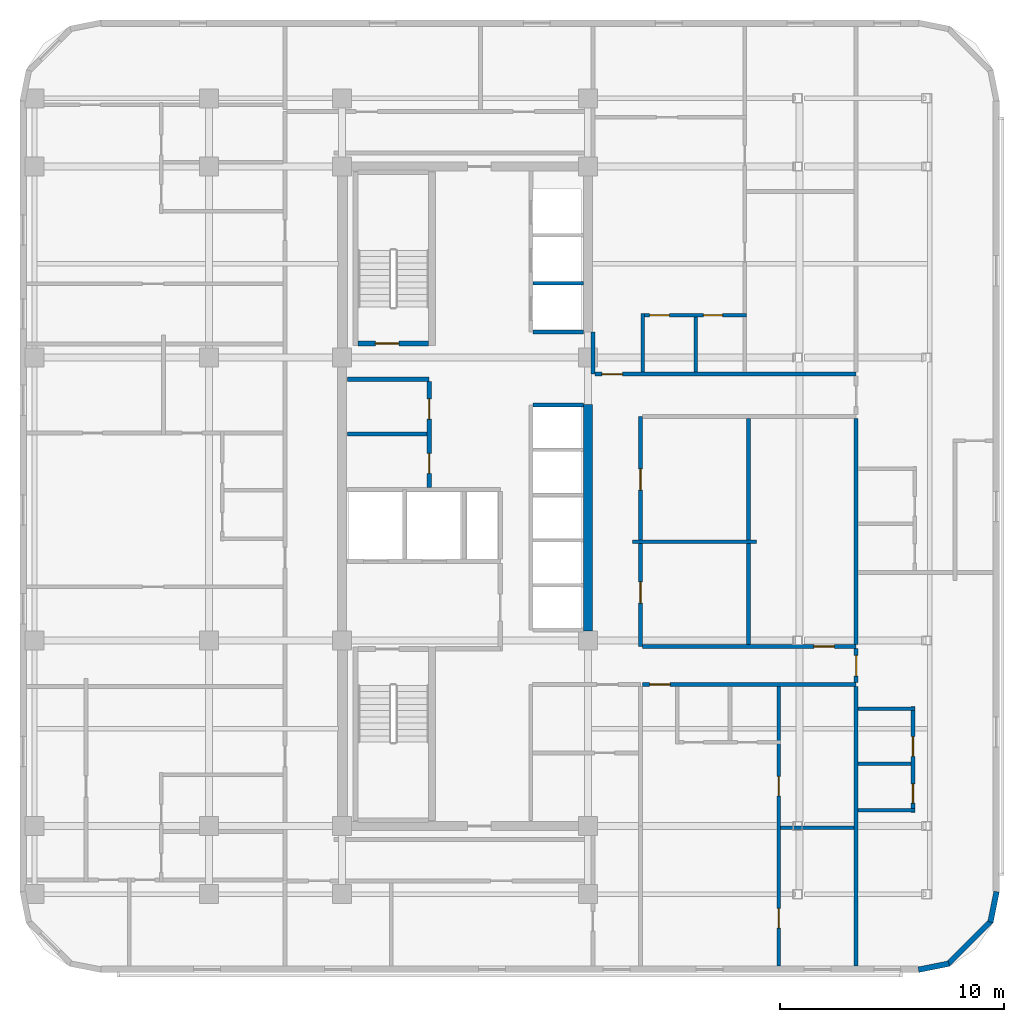
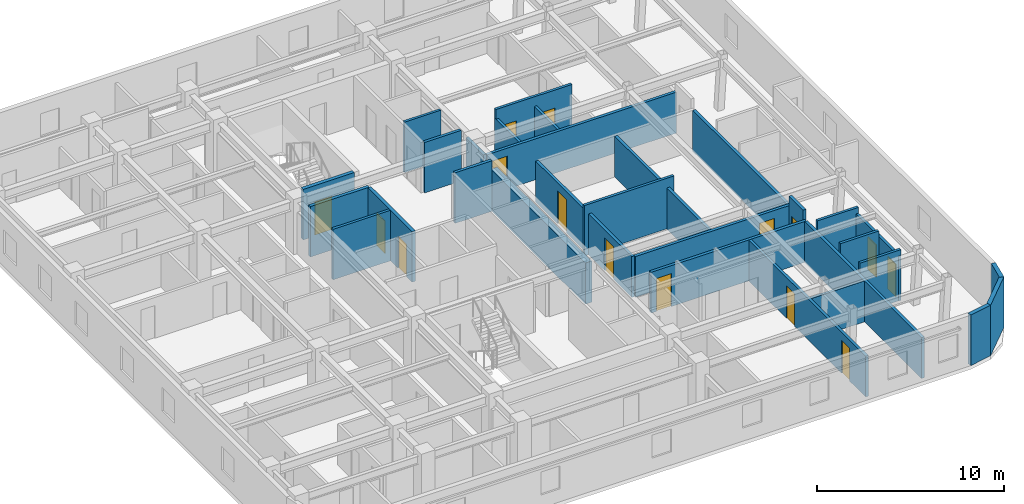
# One storey, part 5 of 11: 30 walls, 15 doors, 15 openings.
"""IFC4 building model written with IfcOpenShell, lengths in metres."""

from ifc_helpers import new_model, si_unit, direction, frame, frame_2d, origin, place, context, subcontext, project, spatial, rectangle, extrude, material, layer, layer_set, type_object, element, fill, save


model = new_model("IFC4")

# Units and contexts
model_context = context("Model", 3, precision=1e-05, world=origin(), true_north=direction((0.0, 1.0)))
body_context = subcontext(model_context, "Body", "Model", "MODEL_VIEW")
ifc_project = project(units=[si_unit("LENGTHUNIT", "METRE"), si_unit("AREAUNIT", "SQUARE_METRE"), si_unit("VOLUMEUNIT", "CUBIC_METRE"), si_unit("PLANEANGLEUNIT", "RADIAN"), si_unit("MASSUNIT", "GRAM", prefix="KILO")], contexts=[model_context])

# Site, building, storey
site_placement = place(None, origin())
site = spatial("IfcSite", under=ifc_project, at=site_placement, CompositionType="ELEMENT")
building_placement = place(site_placement, origin())
building = spatial("IfcBuilding", under=site, at=building_placement, Name="Ochreholt Gables", CompositionType="ELEMENT")
storey_placement = place(building_placement, frame((0.0, 0.0, 132.0)))
storey = spatial("IfcBuildingStorey", under=building, at=storey_placement, Name="L34", CompositionType="ELEMENT", Elevation=132.0)

# Walls
ifc_material_1 = material(Name="Concrete 60 MPa", Category="concrete")
ifc_layer_1 = layer(ifc_material_1, 0.39990234375, Name="Concrete 60 MPa")
ifc_layer_set_1 = layer_set([ifc_layer_1], Name="Concrete 60 MPa")
wall_type_1 = type_object("IfcWallType", Name="WALL-CSW-400", PredefinedType="SHEAR", material=ifc_layer_set_1)
wall_1_placement = place(storey_placement, frame((35.199951171875, 17.97509765625, 0.0), z_axis=(0.0, 0.0, 1.0), x_axis=(0.0, 1.0, 0.0)))
element("IfcWall", 1, at=wall_1_placement, inside=storey, type_object=wall_type_1, Name="L34 Core Central-East Shear Wall", PredefinedType="SHEAR", context=body_context, shape_type="SweptSolid", body=[
    extrude(rectangle(XDim=10.125, YDim=0.39990234375, at=frame_2d((5.0625, 0.0))), origin(), (0.0, 0.0, 1.0), 2.68896484375),
])
ifc_material_2 = material(Name="Precast concrete 40 MPa", Category="concrete")
ifc_layer_2 = layer(ifc_material_2, 0.25, Name="Precast concrete 40 MPa")
ifc_layer_set_2 = layer_set([ifc_layer_2], Name="Precast concrete 40 MPa")
wall_type_2 = type_object("IfcWallType", Name="WALL-EXT-CNR", PredefinedType="SOLIDWALL", material=ifc_layer_set_2)
wall_2_placement = place(storey_placement, frame((49.9833984375, 2.82421875, 0.0), z_axis=(0.0, 0.0, 1.0), x_axis=(0.980809899341, 0.19496651342, 0.0)))
element("IfcWall", 2, at=wall_2_placement, inside=storey, type_object=wall_type_2, Name="L34 Rounded Corner Wall SE-1", PredefinedType="SOLIDWALL", context=body_context, shape_type="SweptSolid", body=[
    extrude(rectangle(XDim=1.388671875, YDim=0.25, at=frame_2d((0.6943359375, 0.0))), origin(), (0.0, 0.0, 1.0), 3.300048828125),
])
wall_3_placement = place(storey_placement, frame((51.294921875, 3.068115234375, 0.0), z_axis=(0.0, 0.0, 1.0), x_axis=(0.707151344399, 0.707062215165, 0.0)))
element("IfcWall", 3, at=wall_3_placement, inside=storey, type_object=wall_type_2, Name="L34 Rounded Corner Wall SE-2", PredefinedType="SOLIDWALL", context=body_context, shape_type="SweptSolid", body=[
    extrude(rectangle(XDim=2.7392578125, YDim=0.25, at=frame_2d((1.36962890625, 0.0))), origin(), (0.0, 0.0, 1.0), 3.300048828125),
])
wall_4_placement = place(storey_placement, frame((53.205078125, 4.95458984375, 0.0), z_axis=(0.0, 0.0, 1.0), x_axis=(0.195000137217, 0.980803214965, 0.0)))
element("IfcWall", 4, at=wall_4_placement, inside=storey, type_object=wall_type_2, Name="L34 Rounded Corner Wall SE-3", PredefinedType="SOLIDWALL", context=body_context, shape_type="SweptSolid", body=[
    extrude(rectangle(XDim=1.388427734375, YDim=0.25, at=frame_2d((0.6943359375, 0.0))), origin(), (0.0, 0.0, 1.0), 3.300048828125),
])
ifc_material_3 = material(Name="Concrete 40 MPa", Category="concrete")
ifc_layer_3 = layer(ifc_material_3, 0.199951171875, Name="Concrete 40 MPa")
ifc_layer_set_3 = layer_set([ifc_layer_3], Name="Concrete 40 MPa")
wall_type_3 = type_object("IfcWallType", Name="WALL-INT-CF200", PredefinedType="STANDARD", material=ifc_layer_set_3)
wall_5_placement = place(storey_placement, frame((24.449951171875, 29.239990234375, 0.0), z_axis=(0.0, 0.0, 1.0), x_axis=(1.0, 0.0, 0.0)))
element("IfcWall", 5, at=wall_5_placement, inside=storey, type_object=wall_type_3, Name="L34 Interior Wall WI-SRVN-L34", PredefinedType="STANDARD", context=body_context, shape_type="SweptSolid", body=[
    extrude(rectangle(XDim=3.650146484375, YDim=0.199951171875, at=frame_2d((1.8251953125, 0.0))), origin(), (0.0, 0.0, 1.0), 3.300048828125),
])

# Wall, openings, doors
wall_6_placement = place(storey_placement, frame((28.10009765625, 24.389892578125, 0.0), z_axis=(0.0, 0.0, 1.0), x_axis=(0.0, 1.0, 0.0)))
wall_6 = element("IfcWall", 6, at=wall_6_placement, inside=storey, type_object=wall_type_3, Name="L34 Interior Wall WI-SRVE-L34", PredefinedType="STANDARD", context=body_context, shape_type="SweptSolid", body=[
    extrude(rectangle(XDim=4.75, YDim=0.199951171875, at=frame_2d((2.375, 0.0))), origin(), (0.0, 0.0, 1.0), 3.300048828125),
])
opening_1_placement = place(wall_6_placement, frame((0.6298828125, 0.0, 0.0)))
opening_1 = element("IfcOpeningElement", 7, at=opening_1_placement, cuts=wall_6, Name="Opening D-SV1", PredefinedType="OPENING", context=body_context, shape_type="SweptSolid", body=[
    extrude(rectangle(XDim=0.89990234375, YDim=2.10009765625, at=frame_2d((0.449951171875, 1.050048828125))), frame((0.0, 0.10986328125, 0.0), z_axis=(0.0, -1.0, 0.0), x_axis=(1.0, 0.0, 0.0)), (0.0, 0.0, 1.0), 0.219970703125),
])
opening_2_placement = place(wall_6_placement, frame((3.06005859375, 0.0, 0.0)))
opening_2 = element("IfcOpeningElement", 8, at=opening_2_placement, cuts=wall_6, Name="Opening D-SV1", PredefinedType="OPENING", context=body_context, shape_type="SweptSolid", body=[
    extrude(rectangle(XDim=0.89990234375, YDim=2.10009765625, at=frame_2d((0.449951171875, 1.050048828125))), frame((0.0, 0.10986328125, 0.0), z_axis=(0.0, -1.0, 0.0), x_axis=(1.0, 0.0, 0.0)), (0.0, 0.0, 1.0), 0.219970703125),
])
ifc_material_4 = material(Name="Hollow Metal Steel", Category="steel")
door_type_1 = type_object("IfcDoorType", Name="DR-INT-SRV900", OperationType="NOTDEFINED", PredefinedType="DOOR", material=ifc_material_4)
door_1_placement = place(opening_1_placement, origin())
door_1 = element("IfcDoor", 9, at=door_1_placement, inside=storey, type_object=door_type_1, Name="L34 Door D-SRV1-L34", OperationType="SINGLE_SWING_LEFT", OverallHeight=2.10009765625, OverallWidth=0.89990234375, PredefinedType="DOOR", context=body_context, shape_type="SweptSolid", body=[
    extrude(rectangle(XDim=0.89990234375, YDim=2.10009765625, at=frame_2d((0.449951171875, 1.050048828125))), frame((0.0, 0.02490234375, 0.0), z_axis=(0.0, -1.0, 0.0), x_axis=(1.0, 0.0, 0.0)), (0.0, 0.0, 1.0), 0.050048828125),
])
fill(opening_1, door_1)
door_2_placement = place(opening_2_placement, origin())
door_2 = element("IfcDoor", 10, at=door_2_placement, inside=storey, type_object=door_type_1, Name="L34 Door D-SRV2-L34", OperationType="SINGLE_SWING_RIGHT", OverallHeight=2.10009765625, OverallWidth=0.89990234375, PredefinedType="DOOR", context=body_context, shape_type="SweptSolid", body=[
    extrude(rectangle(XDim=0.89990234375, YDim=2.10009765625, at=frame_2d((0.449951171875, 1.050048828125))), frame((0.0, 0.02490234375, 0.0), z_axis=(0.0, -1.0, 0.0), x_axis=(1.0, 0.0, 0.0)), (0.0, 0.0, 1.0), 0.050048828125),
])
fill(opening_2, door_2)

ifc_material_5 = material(Name="Fire-Rated Gypsum Acoustic Partition", Category="gypsum")
ifc_layer_4 = layer(ifc_material_5, 0.179931640625, Name="Fire-Rated Gypsum Acoustic Partition")
ifc_layer_set_4 = layer_set([ifc_layer_4], Name="Fire-Rated Gypsum Acoustic Partition")
wall_type_4 = type_object("IfcWallType", Name="WALL-INT-CR180", PredefinedType="STANDARD", material=ifc_layer_set_4)
wall_7_placement = place(storey_placement, frame((37.550048828125, 17.280029296875, 0.0), z_axis=(0.0, 0.0, 1.0), x_axis=(0.0, 1.0, 0.0)))
wall_7 = element("IfcWall", 11, at=wall_7_placement, inside=storey, type_object=wall_type_4, Name="L34 Interior Wall WI-C2EM-L34", PredefinedType="STANDARD", context=body_context, shape_type="SweptSolid", body=[
    extrude(rectangle(XDim=10.280029296875, YDim=0.179931640625, at=frame_2d((5.14013671875, 0.0))), origin(), (0.0, 0.0, 1.0), 2.6708984375),
])
opening_3_placement = place(wall_7_placement, frame((1.93994140625, 0.0, 0.0)))
opening_3 = element("IfcOpeningElement", 12, at=opening_3_placement, cuts=wall_7, Name="Opening D-GN1", PredefinedType="OPENING", context=body_context, shape_type="SweptSolid", body=[
    extrude(rectangle(XDim=0.949951171875, YDim=2.14990234375, at=frame_2d((0.47509765625, 1.074951171875))), frame((0.0, 0.099853515625, 0.0), z_axis=(0.0, -1.0, 0.0), x_axis=(1.0, 0.0, 0.0)), (0.0, 0.0, 1.0), 0.199951171875),
])
opening_4_placement = place(wall_7_placement, frame((6.989990234375, 0.0, 0.0)))
opening_4 = element("IfcOpeningElement", 13, at=opening_4_placement, cuts=wall_7, Name="Opening D-GN1", PredefinedType="OPENING", context=body_context, shape_type="SweptSolid", body=[
    extrude(rectangle(XDim=0.949951171875, YDim=2.14990234375, at=frame_2d((0.47509765625, 1.074951171875))), frame((0.0, 0.099853515625, 0.0), z_axis=(0.0, -1.0, 0.0), x_axis=(1.0, 0.0, 0.0)), (0.0, 0.0, 1.0), 0.199951171875),
])
ifc_material_6 = material(Name="Engineered Oak Timber", Category="wood")
door_type_2 = type_object("IfcDoorType", Name="DR-INT-GEN950", OperationType="NOTDEFINED", PredefinedType="DOOR", material=ifc_material_6)
door_3_placement = place(opening_3_placement, origin())
door_3 = element("IfcDoor", 14, at=door_3_placement, inside=storey, type_object=door_type_2, Name="L34 Door D-U-L34M1A-ENT", OperationType="SINGLE_SWING_RIGHT", OverallHeight=2.14990234375, OverallWidth=0.949951171875, PredefinedType="DOOR", context=body_context, shape_type="SweptSolid", body=[
    extrude(rectangle(XDim=0.949951171875, YDim=2.14990234375, at=frame_2d((0.47509765625, 1.074951171875))), frame((0.0, 0.02490234375, 0.0), z_axis=(0.0, -1.0, 0.0), x_axis=(1.0, 0.0, 0.0)), (0.0, 0.0, 1.0), 0.050048828125),
])
fill(opening_3, door_3)
door_4_placement = place(opening_4_placement, origin())
door_4 = element("IfcDoor", 15, at=door_4_placement, inside=storey, type_object=door_type_2, Name="L34 Door D-U-L34M1B-ENT", OperationType="SINGLE_SWING_LEFT", OverallHeight=2.14990234375, OverallWidth=0.949951171875, PredefinedType="DOOR", context=body_context, shape_type="SweptSolid", body=[
    extrude(rectangle(XDim=0.949951171875, YDim=2.14990234375, at=frame_2d((0.47509765625, 1.074951171875))), frame((0.0, 0.02490234375, 0.0), z_axis=(0.0, -1.0, 0.0), x_axis=(1.0, 0.0, 0.0)), (0.0, 0.0, 1.0), 0.050048828125),
])
fill(opening_4, door_4)

# Wall, opening, door
wall_8_placement = place(storey_placement, frame((37.632568359375, 15.580078125, 0.0), z_axis=(0.0, 0.0, 1.0), x_axis=(1.0, 0.0, 0.0)))
wall_8 = element("IfcWall", 16, at=wall_8_placement, inside=storey, type_object=wall_type_4, Name="L34 Interior Wall WI-C2SS1-L34", PredefinedType="STANDARD", context=body_context, shape_type="SweptSolid", body=[
    extrude(rectangle(XDim=9.5673828125, YDim=0.179931640625, at=frame_2d((4.78369140625, 0.0))), origin(), (0.0, 0.0, 1.0), 2.6708984375),
])
opening_5_placement = place(wall_8_placement, frame((0.327392578125, 0.0, 0.0)))
opening_5 = element("IfcOpeningElement", 17, at=opening_5_placement, cuts=wall_8, Name="Opening D-UN1", PredefinedType="OPENING", context=body_context, shape_type="SweptSolid", body=[
    extrude(rectangle(XDim=0.919921875, YDim=2.14990234375, at=frame_2d((0.4599609375, 1.074951171875))), frame((0.0, 0.099853515625, 0.0), z_axis=(0.0, -1.0, 0.0), x_axis=(1.0, 0.0, 0.0)), (0.0, 0.0, 1.0), 0.199951171875),
])
door_type_3 = type_object("IfcDoorType", Name="DR-INT-UNT920", OperationType="NOTDEFINED", PredefinedType="DOOR", material=ifc_material_6)
door_5_placement = place(opening_5_placement, origin())
door_5 = element("IfcDoor", 18, at=door_5_placement, inside=storey, type_object=door_type_3, Name="L34 Door D-U-L34S1-ENT", OperationType="SINGLE_SWING_RIGHT", OverallHeight=2.14990234375, OverallWidth=0.919921875, PredefinedType="DOOR", context=body_context, shape_type="SweptSolid", body=[
    extrude(rectangle(XDim=0.919921875, YDim=2.14990234375, at=frame_2d((0.4599609375, 1.074951171875))), frame((0.0, 0.02490234375, 0.0), z_axis=(0.0, -1.0, 0.0), x_axis=(1.0, 0.0, 0.0)), (0.0, 0.0, 1.0), 0.050048828125),
])
fill(opening_5, door_5)

wall_9_placement = place(storey_placement, frame((37.639892578125, 17.280029296875, 0.0), z_axis=(0.0, 0.0, 1.0), x_axis=(1.0, 0.0, 0.0)))
wall_9 = element("IfcWall", 19, at=wall_9_placement, inside=storey, type_object=wall_type_4, Name="L34 Interior Wall WI-C2SS2-L34", PredefinedType="STANDARD", context=body_context, shape_type="SweptSolid", body=[
    extrude(rectangle(XDim=9.56005859375, YDim=0.179931640625, at=frame_2d((4.780029296875, 0.0))), origin(), (0.0, 0.0, 1.0), 2.6708984375),
])
opening_6_placement = place(wall_9_placement, frame((7.66748046875, 0.0, 0.0)))
opening_6 = element("IfcOpeningElement", 20, at=opening_6_placement, cuts=wall_9, Name="Opening D-UN1", PredefinedType="OPENING", context=body_context, shape_type="SweptSolid", body=[
    extrude(rectangle(XDim=0.919921875, YDim=2.14990234375, at=frame_2d((0.4599609375, 1.074951171875))), frame((0.0, 0.099853515625, 0.0), z_axis=(0.0, -1.0, 0.0), x_axis=(1.0, 0.0, 0.0)), (0.0, 0.0, 1.0), 0.199951171875),
])
door_6_placement = place(opening_6_placement, origin())
door_6 = element("IfcDoor", 21, at=door_6_placement, inside=storey, type_object=door_type_3, Name="L34 Door D-U-L34M2-ENT", OperationType="SINGLE_SWING_LEFT", OverallHeight=2.14990234375, OverallWidth=0.919921875, PredefinedType="DOOR", context=body_context, shape_type="SweptSolid", body=[
    extrude(rectangle(XDim=0.919921875, YDim=2.14990234375, at=frame_2d((0.4599609375, 1.074951171875))), frame((0.0, 0.02490234375, 0.0), z_axis=(0.0, -1.0, 0.0), x_axis=(1.0, 0.0, 0.0)), (0.0, 0.0, 1.0), 0.050048828125),
])
fill(opening_6, door_6)

# Wall
wall_10_placement = place(storey_placement, frame((35.419921875, 29.4599609375, 0.0), z_axis=(0.0, 0.0, 1.0), x_axis=(0.0, 1.0, 0.0)))
element("IfcWall", 22, at=wall_10_placement, inside=storey, type_object=wall_type_4, Name="L34 Interior Wall WI-C2NCL-L34", PredefinedType="STANDARD", context=body_context, shape_type="SweptSolid", body=[
    extrude(rectangle(XDim=1.89013671875, YDim=0.179931640625, at=frame_2d((0.945068359375, 0.0))), origin(), (0.0, 0.0, 1.0), 2.6708984375),
])

# Wall, opening, door
wall_11_placement = place(storey_placement, frame((35.510009765625, 29.4599609375, 0.0), z_axis=(0.0, 0.0, 1.0), x_axis=(1.0, 0.0, 0.0)))
wall_11 = element("IfcWall", 23, at=wall_11_placement, inside=storey, type_object=wall_type_4, Name="L34 Interior Wall WI-C2SN2-L34", PredefinedType="STANDARD", context=body_context, shape_type="SweptSolid", body=[
    extrude(rectangle(XDim=11.68994140625, YDim=0.179931640625, at=frame_2d((5.844970703125, 0.0))), origin(), (0.0, 0.0, 1.0), 2.6708984375),
])
opening_7_placement = place(wall_11_placement, frame((0.320068359375, 0.0, 0.0)))
opening_7 = element("IfcOpeningElement", 24, at=opening_7_placement, cuts=wall_11, Name="Opening D-UN1", PredefinedType="OPENING", context=body_context, shape_type="SweptSolid", body=[
    extrude(rectangle(XDim=0.919921875, YDim=2.14990234375, at=frame_2d((0.4599609375, 1.074951171875))), frame((0.0, 0.099853515625, 0.0), z_axis=(0.0, -1.0, 0.0), x_axis=(1.0, 0.0, 0.0)), (0.0, 0.0, 1.0), 0.199951171875),
])
door_7_placement = place(opening_7_placement, origin())
door_7 = element("IfcDoor", 25, at=door_7_placement, inside=storey, type_object=door_type_3, Name="L34 Door D-U-L34N1-ENT", OperationType="SINGLE_SWING_LEFT", OverallHeight=2.14990234375, OverallWidth=0.919921875, PredefinedType="DOOR", context=body_context, shape_type="SweptSolid", body=[
    extrude(rectangle(XDim=0.919921875, YDim=2.14990234375, at=frame_2d((0.4599609375, 1.074951171875))), frame((0.0, 0.02490234375, 0.0), z_axis=(0.0, -1.0, 0.0), x_axis=(1.0, 0.0, 0.0)), (0.0, 0.0, 1.0), 0.050048828125),
])
fill(opening_7, door_7)

wall_12_placement = place(storey_placement, frame((47.199951171875, 15.669921875, 0.0), z_axis=(0.0, 0.0, 1.0), x_axis=(0.0, 1.0, 0.0)))
wall_12 = element("IfcWall", 26, at=wall_12_placement, inside=storey, type_object=wall_type_4, Name="L34 Interior Wall WI-C2SSE-L34", PredefinedType="STANDARD", context=body_context, shape_type="SweptSolid", body=[
    extrude(rectangle(XDim=1.52001953125, YDim=0.179931640625, at=frame_2d((0.760009765625, 0.0))), origin(), (0.0, 0.0, 1.0), 3.300048828125),
])
opening_8_placement = place(wall_12_placement, frame((0.2900390625, 0.0, 0.0)))
opening_8 = element("IfcOpeningElement", 27, at=opening_8_placement, cuts=wall_12, Name="Opening D-UN1", PredefinedType="OPENING", context=body_context, shape_type="SweptSolid", body=[
    extrude(rectangle(XDim=0.919921875, YDim=2.14990234375, at=frame_2d((0.4599609375, 1.074951171875))), frame((0.0, 0.099853515625, 0.0), z_axis=(0.0, -1.0, 0.0), x_axis=(1.0, 0.0, 0.0)), (0.0, 0.0, 1.0), 0.199951171875),
])
door_8_placement = place(opening_8_placement, origin())
door_8 = element("IfcDoor", 28, at=door_8_placement, inside=storey, type_object=door_type_3, Name="L34 Door D-U-L34FES-ENT", OperationType="SINGLE_SWING_RIGHT", OverallHeight=2.14990234375, OverallWidth=0.919921875, PredefinedType="DOOR", context=body_context, shape_type="SweptSolid", body=[
    extrude(rectangle(XDim=0.919921875, YDim=2.14990234375, at=frame_2d((0.4599609375, 1.074951171875))), frame((0.0, 0.02490234375, 0.0), z_axis=(0.0, -1.0, 0.0), x_axis=(1.0, 0.0, 0.0)), (0.0, 0.0, 1.0), 0.050048828125),
])
fill(opening_8, door_8)

# Walls
ifc_material_7 = material(Name="Double-Stud Acoustic Demising Wall", Category="gypsum")
ifc_layer_5 = layer(ifc_material_7, 0.179931640625, Name="Double-Stud Acoustic Demising Wall")
ifc_layer_set_5 = layer_set([ifc_layer_5], Name="Double-Stud Acoustic Demising Wall")
wall_type_5 = type_object("IfcWallType", Name="WALL-INT-DM180", PredefinedType="PARTITIONING", material=ifc_layer_set_5)
wall_13_placement = place(storey_placement, frame((42.375, 17.3701171875, 0.0), z_axis=(0.0, 0.0, 1.0), x_axis=(0.0, 1.0, 0.0)))
element("IfcWall", 29, at=wall_13_placement, inside=storey, type_object=wall_type_5, Name="L34 Interior Wall WI-C2UDM-L34", PredefinedType="PARTITIONING", context=body_context, shape_type="SweptSolid", body=[
    extrude(rectangle(XDim=10.099853515625, YDim=0.179931640625, at=frame_2d((5.0498046875, 0.0))), origin(), (0.0, 0.0, 1.0), 2.6708984375),
])
wall_14_placement = place(storey_placement, frame((47.199951171875, 2.97998046875, 0.0), z_axis=(0.0, 0.0, 1.0), x_axis=(0.0, 1.0, 0.0)))
element("IfcWall", 30, at=wall_14_placement, inside=storey, type_object=wall_type_5, Name="L34 Interior Wall WI-C2FEW1-L34", PredefinedType="PARTITIONING", context=body_context, shape_type="SweptSolid", body=[
    extrude(rectangle(XDim=12.510009765625, YDim=0.179931640625, at=frame_2d((6.2548828125, 0.0))), origin(), (0.0, 0.0, 1.0), 2.6708984375),
])
wall_15_placement = place(storey_placement, frame((47.199951171875, 17.3701171875, 0.0), z_axis=(0.0, 0.0, 1.0), x_axis=(0.0, 1.0, 0.0)))
element("IfcWall", 31, at=wall_15_placement, inside=storey, type_object=wall_type_5, Name="L34 Interior Wall WI-C2FEW2-L34", PredefinedType="PARTITIONING", context=body_context, shape_type="SweptSolid", body=[
    extrude(rectangle(XDim=10.099853515625, YDim=0.179931640625, at=frame_2d((5.0498046875, 0.0))), origin(), (0.0, 0.0, 1.0), 2.6708984375),
])

# Wall, openings, doors
ifc_material_8 = material(Name="Moisture-Resistant Plumbing Chase Wall", Category="gypsum")
ifc_layer_6 = layer(ifc_material_8, 0.159912109375, Name="Moisture-Resistant Plumbing Chase Wall")
ifc_layer_set_6 = layer_set([ifc_layer_6], Name="Moisture-Resistant Plumbing Chase Wall")
wall_type_6 = type_object("IfcWallType", Name="WALL-INT-PL160", PredefinedType="PLUMBINGWALL", material=ifc_layer_set_6)
wall_16_placement = place(storey_placement, frame((37.580078125, 32.094970703125, 0.0), z_axis=(0.0, 0.0, 1.0), x_axis=(1.0, 0.0, 0.0)))
wall_16 = element("IfcWall", 32, at=wall_16_placement, inside=storey, type_object=wall_type_6, Name="L34 Interior Wall WU-L34N1-WY", PredefinedType="PLUMBINGWALL", context=body_context, shape_type="SweptSolid", body=[
    extrude(rectangle(XDim=4.7099609375, YDim=0.159912109375, at=frame_2d((2.35498046875, 0.0))), origin(), (0.0, 0.0, 1.0), 3.300048828125),
])
opening_9_placement = place(wall_16_placement, frame((0.3798828125, 0.0, 0.0)))
opening_9 = element("IfcOpeningElement", 33, at=opening_9_placement, cuts=wall_16, Name="Opening D-GN2", PredefinedType="OPENING", context=body_context, shape_type="SweptSolid", body=[
    extrude(rectangle(XDim=0.8798828125, YDim=2.1201171875, at=frame_2d((0.43994140625, 1.06005859375))), frame((0.0, 0.08984375, 0.0), z_axis=(0.0, -1.0, 0.0), x_axis=(1.0, 0.0, 0.0)), (0.0, 0.0, 1.0), 0.179931640625),
])
opening_10_placement = place(wall_16_placement, frame((2.785888671875, 0.0, 0.0)))
opening_10 = element("IfcOpeningElement", 34, at=opening_10_placement, cuts=wall_16, Name="Opening D-BT1", PredefinedType="OPENING", context=body_context, shape_type="SweptSolid", body=[
    extrude(rectangle(XDim=0.860107421875, YDim=2.1201171875, at=frame_2d((0.43017578125, 1.06005859375))), frame((0.0, 0.08984375, 0.0), z_axis=(0.0, -1.0, 0.0), x_axis=(1.0, 0.0, 0.0)), (0.0, 0.0, 1.0), 0.179931640625),
])
door_type_4 = type_object("IfcDoorType", Name="DR-INT-BTH860", OperationType="NOTDEFINED", PredefinedType="DOOR", material=ifc_material_6)
door_9_placement = place(opening_10_placement, origin())
door_9 = element("IfcDoor", 35, at=door_9_placement, inside=storey, type_object=door_type_4, Name="L34 Door D-U-L34N1-BTH", OperationType="SINGLE_SWING_LEFT", OverallHeight=2.1201171875, OverallWidth=0.860107421875, PredefinedType="DOOR", context=body_context, shape_type="SweptSolid", body=[
    extrude(rectangle(XDim=0.860107421875, YDim=2.1201171875, at=frame_2d((0.43017578125, 1.06005859375))), frame((0.0, 0.02490234375, 0.0), z_axis=(0.0, -1.0, 0.0), x_axis=(1.0, 0.0, 0.0)), (0.0, 0.0, 1.0), 0.050048828125),
])
fill(opening_10, door_9)
door_type_5 = type_object("IfcDoorType", Name="DR-INT-GEN880", OperationType="NOTDEFINED", PredefinedType="DOOR", material=ifc_material_6)
door_10_placement = place(opening_9_placement, origin())
door_10 = element("IfcDoor", 36, at=door_10_placement, inside=storey, type_object=door_type_5, Name="L34 Door D-U-L34N1-KIT", OperationType="SINGLE_SWING_RIGHT", OverallHeight=2.1201171875, OverallWidth=0.8798828125, PredefinedType="DOOR", context=body_context, shape_type="SweptSolid", body=[
    extrude(rectangle(XDim=0.8798828125, YDim=2.1201171875, at=frame_2d((0.43994140625, 1.06005859375))), frame((0.0, 0.02490234375, 0.0), z_axis=(0.0, -1.0, 0.0), x_axis=(1.0, 0.0, 0.0)), (0.0, 0.0, 1.0), 0.050048828125),
])
fill(opening_9, door_10)

# Walls
wall_17_placement = place(storey_placement, frame((37.659912109375, 29.550048828125, 0.0), z_axis=(0.0, 0.0, 1.0), x_axis=(0.0, 1.0, 0.0)))
element("IfcWall", 37, at=wall_17_placement, inside=storey, type_object=wall_type_6, Name="L34 Interior Wall WU-L34N1-FY", PredefinedType="PLUMBINGWALL", context=body_context, shape_type="SweptSolid", body=[
    extrude(rectangle(XDim=2.625, YDim=0.159912109375, at=frame_2d((1.3125, 0.0))), origin(), (0.0, 0.0, 1.0), 2.6708984375),
])
wall_18_placement = place(storey_placement, frame((40.02587890625, 29.550048828125, 0.0), z_axis=(0.0, 0.0, 1.0), x_axis=(0.0, 1.0, 0.0)))
element("IfcWall", 38, at=wall_18_placement, inside=storey, type_object=wall_type_6, Name="L34 Interior Wall WU-L34N1-WK", PredefinedType="PLUMBINGWALL", context=body_context, shape_type="SweptSolid", body=[
    extrude(rectangle(XDim=2.46484375, YDim=0.159912109375, at=frame_2d((1.232421875, 0.0))), origin(), (0.0, 0.0, 1.0), 2.6708984375),
])
for number, where, z_axis, x_axis, name in (
    (39, (47.2900390625, 9.947021484375, 0.0), (0.0, 0.0, 1.0), (1.0, 0.0, 0.0), "L34 Interior Wall WU-L34FES-WYS"),
    (40, (47.2900390625, 14.496826171875, 0.0), (0.0, 0.0, 1.0), (1.0, 0.0, 0.0), "L34 Interior Wall WU-L34FES-WYN"),
):
    element("IfcWall", number, at=place(storey_placement, frame(where, z_axis=z_axis, x_axis=x_axis)), inside=storey, type_object=wall_type_6, Name=name, PredefinedType="PLUMBINGWALL", context=body_context, shape_type="SweptSolid", body=[
        extrude(rectangle(XDim=2.530029296875, YDim=0.159912109375, at=frame_2d((1.26513671875, 0.0))), origin(), (0.0, 0.0, 1.0), 3.300048828125),
    ])

# Wall, openings, doors
wall_19_placement = place(storey_placement, frame((49.739990234375, 9.85693359375, 0.0), z_axis=(0.0, 0.0, 1.0), x_axis=(0.0, 1.0, 0.0)))
wall_19 = element("IfcWall", 41, at=wall_19_placement, inside=storey, type_object=wall_type_6, Name="L34 Interior Wall WU-L34FES-WX", PredefinedType="PLUMBINGWALL", context=body_context, shape_type="SweptSolid", body=[
    extrude(rectangle(XDim=4.72998046875, YDim=0.159912109375, at=frame_2d((2.364990234375, 0.0))), origin(), (0.0, 0.0, 1.0), 2.927978515625),
])
opening_11_placement = place(wall_19_placement, frame((0.419921875, 0.0, 0.0)))
opening_11 = element("IfcOpeningElement", 42, at=opening_11_placement, cuts=wall_19, Name="Opening D-BT1", PredefinedType="OPENING", context=body_context, shape_type="SweptSolid", body=[
    extrude(rectangle(XDim=0.860107421875, YDim=2.1201171875, at=frame_2d((0.43017578125, 1.06005859375))), frame((0.0, 0.08984375, 0.0), z_axis=(0.0, -1.0, 0.0), x_axis=(1.0, 0.0, 0.0)), (0.0, 0.0, 1.0), 0.179931640625),
])
opening_12_placement = place(wall_19_placement, frame((2.512939453125, 0.0, 0.0)))
opening_12 = element("IfcOpeningElement", 43, at=opening_12_placement, cuts=wall_19, Name="Opening D-GN2", PredefinedType="OPENING", context=body_context, shape_type="SweptSolid", body=[
    extrude(rectangle(XDim=0.8798828125, YDim=2.1201171875, at=frame_2d((0.43994140625, 1.06005859375))), frame((0.0, 0.08984375, 0.0), z_axis=(0.0, -1.0, 0.0), x_axis=(1.0, 0.0, 0.0)), (0.0, 0.0, 1.0), 0.179931640625),
])
door_11_placement = place(opening_11_placement, origin())
door_11 = element("IfcDoor", 44, at=door_11_placement, inside=storey, type_object=door_type_4, Name="L34 Door D-U-L34FES-BTH", OperationType="SINGLE_SWING_LEFT", OverallHeight=2.1201171875, OverallWidth=0.860107421875, PredefinedType="DOOR", context=body_context, shape_type="SweptSolid", body=[
    extrude(rectangle(XDim=0.860107421875, YDim=2.1201171875, at=frame_2d((0.43017578125, 1.06005859375))), frame((0.0, 0.02490234375, 0.0), z_axis=(0.0, -1.0, 0.0), x_axis=(1.0, 0.0, 0.0)), (0.0, 0.0, 1.0), 0.050048828125),
])
fill(opening_11, door_11)
door_12_placement = place(opening_12_placement, origin())
door_12 = element("IfcDoor", 45, at=door_12_placement, inside=storey, type_object=door_type_5, Name="L34 Door D-U-L34FES-KIT", OperationType="SINGLE_SWING_RIGHT", OverallHeight=2.1201171875, OverallWidth=0.8798828125, PredefinedType="DOOR", context=body_context, shape_type="SweptSolid", body=[
    extrude(rectangle(XDim=0.8798828125, YDim=2.1201171875, at=frame_2d((0.43994140625, 1.06005859375))), frame((0.0, 0.02490234375, 0.0), z_axis=(0.0, -1.0, 0.0), x_axis=(1.0, 0.0, 0.0)), (0.0, 0.0, 1.0), 0.050048828125),
])
fill(opening_12, door_12)

# Walls
wall_20_placement = place(storey_placement, frame((47.2900390625, 12.039794921875, 0.0), z_axis=(0.0, 0.0, 1.0), x_axis=(1.0, 0.0, 0.0)))
element("IfcWall", 46, at=wall_20_placement, inside=storey, type_object=wall_type_6, Name="L34 Interior Wall WU-L34FES-WM", PredefinedType="PLUMBINGWALL", context=body_context, shape_type="SweptSolid", body=[
    extrude(rectangle(XDim=2.369873046875, YDim=0.159912109375, at=frame_2d((1.18505859375, 0.0))), origin(), (0.0, 0.0, 1.0), 3.300048828125),
])
ifc_material_9 = material(Name="Gypsum Acoustic Stud Partition", Category="gypsum")
ifc_layer_7 = layer(ifc_material_9, 0.1650390625, Name="Gypsum Acoustic Stud Partition")
ifc_layer_set_7 = layer_set([ifc_layer_7], Name="Gypsum Acoustic Stud Partition")
wall_type_7 = type_object("IfcWallType", Name="WALL-INT-PT165", PredefinedType="PARTITIONING", material=ifc_layer_set_7)
wall_21_placement = place(storey_placement, frame((24.449951171875, 26.780029296875, 0.0), z_axis=(0.0, 0.0, 1.0), x_axis=(1.0, 0.0, 0.0)))
element("IfcWall", 47, at=wall_21_placement, inside=storey, type_object=wall_type_7, Name="L34 Interior Wall WI-SRVP1-L34", PredefinedType="PARTITIONING", context=body_context, shape_type="SweptSolid", body=[
    extrude(rectangle(XDim=3.550048828125, YDim=0.1650390625, at=frame_2d((1.77490234375, 0.0))), origin(), (0.0, 0.0, 1.0), 3.300048828125),
])

# Wall, openings, doors
wall_22_placement = place(storey_placement, frame((43.739990234375, 2.97998046875, 0.0), z_axis=(0.0, 0.0, 1.0), x_axis=(0.0, 1.0, 0.0)))
wall_22 = element("IfcWall", 48, at=wall_22_placement, inside=storey, type_object=wall_type_7, Name="L34 Interior Wall WU-L34S1-MNX", PredefinedType="PARTITIONING", context=body_context, shape_type="SweptSolid", body=[
    extrude(rectangle(XDim=12.510009765625, YDim=0.1650390625, at=frame_2d((6.2548828125, 0.0))), origin(), (0.0, 0.0, 1.0), 2.6708984375),
])
opening_13_placement = place(wall_22_placement, frame((1.705078125, 0.0, 0.0)))
opening_13 = element("IfcOpeningElement", 49, at=opening_13_placement, cuts=wall_22, Name="Opening D-BD2", PredefinedType="OPENING", context=body_context, shape_type="SweptSolid", body=[
    extrude(rectangle(XDim=0.8798828125, YDim=2.139892578125, at=frame_2d((0.43994140625, 1.06982421875))), frame((0.0, 0.092529296875, 0.0), z_axis=(0.0, -1.0, 0.0), x_axis=(1.0, 0.0, 0.0)), (0.0, 0.0, 1.0), 0.18505859375),
])
opening_14_placement = place(wall_22_placement, frame((7.6162109375, 0.0, 0.0)))
opening_14 = element("IfcOpeningElement", 50, at=opening_14_placement, cuts=wall_22, Name="Opening D-GN2", PredefinedType="OPENING", context=body_context, shape_type="SweptSolid", body=[
    extrude(rectangle(XDim=0.8798828125, YDim=2.1201171875, at=frame_2d((0.43994140625, 1.06005859375))), frame((0.0, 0.092529296875, 0.0), z_axis=(0.0, -1.0, 0.0), x_axis=(1.0, 0.0, 0.0)), (0.0, 0.0, 1.0), 0.18505859375),
])
door_type_6 = type_object("IfcDoorType", Name="DR-INT-BED880", OperationType="NOTDEFINED", PredefinedType="DOOR", material=ifc_material_6)
door_13_placement = place(opening_13_placement, origin())
door_13 = element("IfcDoor", 51, at=door_13_placement, inside=storey, type_object=door_type_6, Name="L34 Door D-U-L34S1-BD1", OperationType="SINGLE_SWING_RIGHT", OverallHeight=2.139892578125, OverallWidth=0.8798828125, PredefinedType="DOOR", context=body_context, shape_type="SweptSolid", body=[
    extrude(rectangle(XDim=0.8798828125, YDim=2.139892578125, at=frame_2d((0.43994140625, 1.06982421875))), frame((0.0, 0.02490234375, 0.0), z_axis=(0.0, -1.0, 0.0), x_axis=(1.0, 0.0, 0.0)), (0.0, 0.0, 1.0), 0.050048828125),
])
fill(opening_13, door_13)
door_14_placement = place(opening_14_placement, origin())
door_14 = element("IfcDoor", 52, at=door_14_placement, inside=storey, type_object=door_type_5, Name="L34 Door D-U-L34S1-BD2", OperationType="SINGLE_SWING_LEFT", OverallHeight=2.1201171875, OverallWidth=0.8798828125, PredefinedType="DOOR", context=body_context, shape_type="SweptSolid", body=[
    extrude(rectangle(XDim=0.8798828125, YDim=2.1201171875, at=frame_2d((0.43994140625, 1.06005859375))), frame((0.0, 0.02490234375, 0.0), z_axis=(0.0, -1.0, 0.0), x_axis=(1.0, 0.0, 0.0)), (0.0, 0.0, 1.0), 0.050048828125),
])
fill(opening_14, door_14)

# Walls
wall_23_placement = place(storey_placement, frame((43.820068359375, 9.169921875, 0.0), z_axis=(0.0, 0.0, 1.0), x_axis=(1.0, 0.0, 0.0)))
element("IfcWall", 53, at=wall_23_placement, inside=storey, type_object=wall_type_7, Name="L34 Interior Wall WU-L34S1-RDV", PredefinedType="PARTITIONING", context=body_context, shape_type="SweptSolid", body=[
    extrude(rectangle(XDim=3.2900390625, YDim=0.1650390625, at=frame_2d((1.64501953125, 0.0))), origin(), (0.0, 0.0, 1.0), 2.6708984375),
])
wall_24_placement = place(storey_placement, frame((37.18994140625, 21.969970703125, 0.0), z_axis=(0.0, 0.0, 1.0), x_axis=(1.0, 0.0, 0.0)))
element("IfcWall", 54, at=wall_24_placement, inside=storey, type_object=wall_type_7, Name="L34 Interior Wall WU-L34M1-SDV", PredefinedType="PARTITIONING", context=body_context, shape_type="SweptSolid", body=[
    extrude(rectangle(XDim=5.545166015625, YDim=0.1650390625, at=frame_2d((2.7724609375, 0.0))), origin(), (0.0, 0.0, 1.0), 3.300048828125),
])
ifc_material_10 = material(Name="Gypsum Shaftliner and Steel Stud", Category="steel")
ifc_layer_8 = layer(ifc_material_10, 0.14990234375, Name="Gypsum Shaftliner and Steel Stud")
ifc_layer_set_8 = layer_set([ifc_layer_8], Name="Gypsum Shaftliner and Steel Stud")
wall_type_8 = type_object("IfcWallType", Name="WALL-INT-SH150", PredefinedType="STANDARD", material=ifc_layer_set_8)
wall_25_placement = place(storey_placement, frame((32.739990234375, 33.52001953125, 0.0), z_axis=(0.0, 0.0, 1.0), x_axis=(1.0, 0.0, 0.0)))
element("IfcWall", 55, at=wall_25_placement, inside=storey, type_object=wall_type_8, Name="L34 Interior Wall WI-LFM-D1-L34", PredefinedType="STANDARD", context=body_context, shape_type="SweptSolid", body=[
    extrude(rectangle(XDim=2.260009765625, YDim=0.14990234375, at=frame_2d((1.1298828125, 0.0))), origin(), (0.0, 0.0, 1.0), 3.300048828125),
])
ifc_layer_9 = layer(ifc_material_10, 0.179931640625, Name="Gypsum Shaftliner and Steel Stud")
ifc_layer_set_9 = layer_set([ifc_layer_9], Name="Gypsum Shaftliner and Steel Stud")
wall_type_9 = type_object("IfcWallType", Name="WALL-INT-SH180", PredefinedType="STANDARD", material=ifc_layer_set_9)
for number, where, z_axis, x_axis, name in (
    (56, (32.739990234375, 28.080078125, 0.0), (0.0, 0.0, 1.0), (1.0, 0.0, 0.0), "L34 Interior Wall WI-LFHE-N-L34"),
    (57, (32.739990234375, 31.35009765625, 0.0), (0.0, 0.0, 1.0), (1.0, 0.0, 0.0), "L34 Interior Wall WI-LFM-S-L34"),
):
    element("IfcWall", number, at=place(storey_placement, frame(where, z_axis=z_axis, x_axis=x_axis)), inside=storey, type_object=wall_type_9, Name=name, PredefinedType="STANDARD", context=body_context, shape_type="SweptSolid", body=[
        extrude(rectangle(XDim=2.260009765625, YDim=0.179931640625, at=frame_2d((1.1298828125, 0.0))), origin(), (0.0, 0.0, 1.0), 3.300048828125),
    ])

# Wall, opening, door
ifc_material_11 = material(Name="Concrete 50 MPa", Category="concrete")
ifc_layer_10 = layer(ifc_material_11, 0.219970703125, Name="Concrete 50 MPa")
ifc_layer_set_10 = layer_set([ifc_layer_10], Name="Concrete 50 MPa")
wall_type_10 = type_object("IfcWallType", Name="WALL-STW-220", PredefinedType="SHEAR", material=ifc_layer_set_10)
wall_26_placement = place(storey_placement, frame((24.919921875, 30.830078125, 0.0), z_axis=(0.0, 0.0, 1.0), x_axis=(1.0, 0.0, 0.0)))
wall_26 = element("IfcWall", 58, at=wall_26_placement, inside=storey, type_object=wall_type_10, Name="L34 Exit Stair 2 South Wall", PredefinedType="SHEAR", context=body_context, shape_type="SweptSolid", body=[
    extrude(rectangle(XDim=3.16015625, YDim=0.219970703125, at=frame_2d((1.580078125, 0.0))), origin(), (0.0, 0.0, 1.0), 3.300048828125),
])
opening_15_placement = place(wall_26_placement, frame((0.780029296875, 0.0, 0.0)))
opening_15 = element("IfcOpeningElement", 59, at=opening_15_placement, cuts=wall_26, Name="Opening D-STC", PredefinedType="OPENING", context=body_context, shape_type="SweptSolid", body=[
    extrude(rectangle(XDim=1.050048828125, YDim=2.14990234375, at=frame_2d((0.52490234375, 1.074951171875))), frame((0.0, 0.119873046875, 0.0), z_axis=(0.0, -1.0, 0.0), x_axis=(1.0, 0.0, 0.0)), (0.0, 0.0, 1.0), 0.239990234375),
])
door_type_7 = type_object("IfcDoorType", Name="DR-INT-ST1050", OperationType="NOTDEFINED", PredefinedType="DOOR", material=ifc_material_4)
door_15_placement = place(opening_15_placement, origin())
door_15 = element("IfcDoor", 60, at=door_15_placement, inside=storey, type_object=door_type_7, Name="L34 Door D-ST2-L34", OperationType="SINGLE_SWING_RIGHT", OverallHeight=2.14990234375, OverallWidth=1.050048828125, PredefinedType="DOOR", context=body_context, shape_type="SweptSolid", body=[
    extrude(rectangle(XDim=1.050048828125, YDim=2.14990234375, at=frame_2d((0.52490234375, 1.074951171875))), frame((0.0, 0.02490234375, 0.0), z_axis=(0.0, -1.0, 0.0), x_axis=(1.0, 0.0, 0.0)), (0.0, 0.0, 1.0), 0.050048828125),
])
fill(opening_15, door_15)

save(model, "model.ifc")
